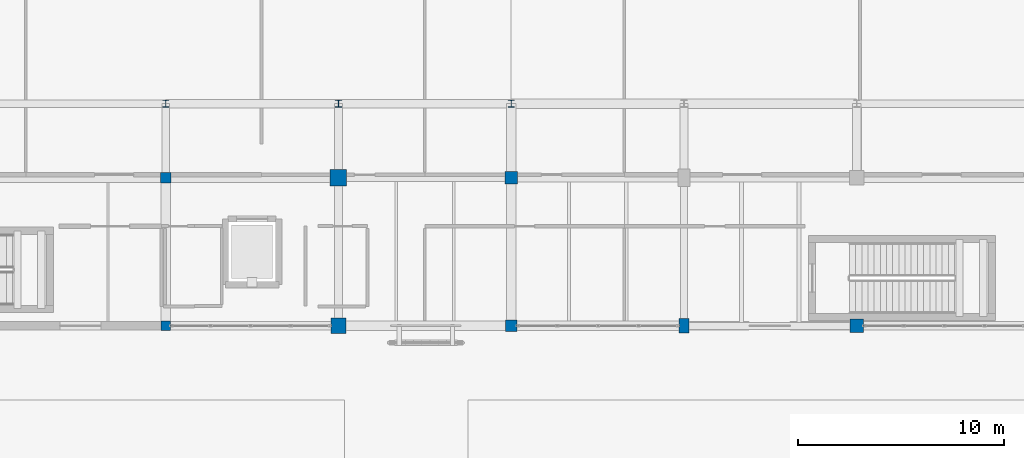
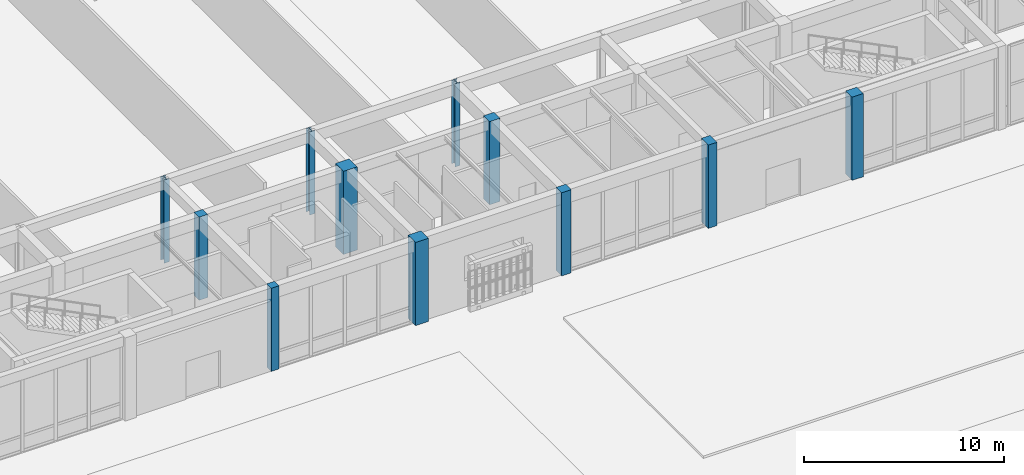
# One storey, part 11 of 169: 11 columns.
"""IFC4 building model written with IfcOpenShell, lengths in metres."""

from ifc_helpers import new_model, si_unit, direction, frame, origin, origin_2d, place, context, subcontext, project, spatial, rectangle, i_section, extrude, material, material_profile, profile_set, type_object, element, save


model = new_model("IFC4")

# Units and contexts
model_context = context("Model", 3, precision=1e-05, world=origin(), true_north=direction((0.0, 1.0)))
body_context = subcontext(model_context, "Body", "Model", "MODEL_VIEW")
ifc_project = project(units=[si_unit("LENGTHUNIT", "METRE"), si_unit("AREAUNIT", "SQUARE_METRE"), si_unit("VOLUMEUNIT", "CUBIC_METRE"), si_unit("PLANEANGLEUNIT", "RADIAN"), si_unit("MASSUNIT", "GRAM", prefix="KILO")], contexts=[model_context])

# Site, building, storey
site_placement = place(None, origin())
site = spatial("IfcSite", under=ifc_project, at=site_placement, CompositionType="ELEMENT")
building_placement = place(site_placement, origin())
building = spatial("IfcBuilding", under=site, at=building_placement, Name="Mazaris Harbour Polytechnic", CompositionType="ELEMENT")
storey_placement = place(building_placement, origin())
storey = spatial("IfcBuildingStorey", under=building, at=storey_placement, Name="L00", CompositionType="ELEMENT", Elevation=0.0)

# Columns
ifc_material_1 = material(Name="Concrete C40/50", Category="concrete")
ifc_material_profile_1 = material_profile(ifc_material_1, rectangle(XDim=0.449951171875, YDim=0.449951171875, at=origin_2d()), Name="RECT450x450")
ifc_profile_set_1 = profile_set([ifc_material_profile_1], Name="Concrete C40/50")
column_type_1 = type_object("IfcColumnType", Name="RC Column 450x450 Exterior", PredefinedType="COLUMN", material=ifc_profile_set_1)
column_1_placement = place(storey_placement, frame((70.800048828125, 75.60009765625, 0.0), z_axis=(0.0, 0.0, 1.0), x_axis=(1.0, 0.0, 0.0)))
element("IfcColumn", 1, at=column_1_placement, inside=storey, type_object=column_type_1, Name="V1 L00 Column 79", PredefinedType="COLUMN", context=body_context, shape_type="SweptSolid", body=[
    extrude(rectangle(XDim=0.449951171875, YDim=0.449951171875, at=origin_2d()), origin(), (0.0, 0.0, 1.0), 5.080078125),
])
ifc_material_2 = material(Name="Concrete C40/50", Category="concrete")
ifc_material_profile_2 = material_profile(ifc_material_2, rectangle(XDim=0.5, YDim=0.5, at=origin_2d()), Name="RECT500x500")
ifc_profile_set_2 = profile_set([ifc_material_profile_2], Name="Concrete C40/50")
column_type_2 = type_object("IfcColumnType", Name="RC Column 500x500", PredefinedType="COLUMN", material=ifc_profile_set_2)
column_2_placement = place(storey_placement, frame((70.800048828125, 82.800048828125, 0.0), z_axis=(0.0, 0.0, 1.0), x_axis=(1.0, 0.0, 0.0)))
element("IfcColumn", 2, at=column_2_placement, inside=storey, type_object=column_type_2, Name="V1 L00 Column 80", PredefinedType="COLUMN", context=body_context, shape_type="SweptSolid", body=[
    extrude(rectangle(XDim=0.5, YDim=0.5, at=origin_2d()), origin(), (0.0, 0.0, 1.0), 5.080078125),
])
ifc_material_3 = material(Name="Concrete C40/50", Category="concrete")
ifc_material_profile_3 = material_profile(ifc_material_3, rectangle(XDim=0.5, YDim=0.699951171875, at=origin_2d()), Name="RECT500x700")
ifc_profile_set_3 = profile_set([ifc_material_profile_3], Name="Concrete C40/50")
column_type_3 = type_object("IfcColumnType", Name="RC Column 500x700 Exterior", PredefinedType="COLUMN", material=ifc_profile_set_3)
column_3_placement = place(storey_placement, frame((96.0, 75.60009765625, 0.0), z_axis=(0.0, 0.0, 1.0), x_axis=(1.0, 0.0, 0.0)))
element("IfcColumn", 3, at=column_3_placement, inside=storey, type_object=column_type_3, Name="V1 L00 Column 97", PredefinedType="COLUMN", context=body_context, shape_type="SweptSolid", body=[
    extrude(rectangle(XDim=0.5, YDim=0.699951171875, at=origin_2d()), origin(), (0.0, 0.0, 1.0), 5.080078125),
])
ifc_material_4 = material(Name="Concrete C40/50", Category="concrete")
ifc_material_profile_4 = material_profile(ifc_material_4, rectangle(XDim=0.550048828125, YDim=0.550048828125, at=origin_2d()), Name="RECT550x550")
ifc_profile_set_4 = profile_set([ifc_material_profile_4], Name="Concrete C40/50")
column_type_4 = type_object("IfcColumnType", Name="RC Column 550x550 Exterior", PredefinedType="COLUMN", material=ifc_profile_set_4)
column_4_placement = place(storey_placement, frame((87.60009765625, 75.60009765625, 0.0), z_axis=(0.0, 0.0, 1.0), x_axis=(1.0, 0.0, 0.0)))
element("IfcColumn", 4, at=column_4_placement, inside=storey, type_object=column_type_4, Name="V1 L00 Column 91", PredefinedType="COLUMN", context=body_context, shape_type="SweptSolid", body=[
    extrude(rectangle(XDim=0.550048828125, YDim=0.550048828125, at=origin_2d()), origin(), (0.0, 0.0, 1.0), 5.080078125),
])
ifc_material_5 = material(Name="Concrete C40/50", Category="concrete")
ifc_material_profile_5 = material_profile(ifc_material_5, rectangle(XDim=0.60009765625, YDim=0.60009765625, at=origin_2d()), Name="RECT600x600")
ifc_profile_set_5 = profile_set([ifc_material_profile_5], Name="Concrete C40/50")
column_type_5 = type_object("IfcColumnType", Name="RC Column 600x600", PredefinedType="COLUMN", material=ifc_profile_set_5)
column_5_placement = place(storey_placement, frame((87.60009765625, 82.800048828125, 0.0), z_axis=(0.0, 0.0, 1.0), x_axis=(1.0, 0.0, 0.0)))
element("IfcColumn", 5, at=column_5_placement, inside=storey, type_object=column_type_5, Name="V1 L00 Column 92", PredefinedType="COLUMN", context=body_context, shape_type="SweptSolid", body=[
    extrude(rectangle(XDim=0.60009765625, YDim=0.60009765625, at=origin_2d()), origin(), (0.0, 0.0, 1.0), 5.080078125),
])
ifc_material_6 = material(Name="Concrete C40/50", Category="concrete")
ifc_material_profile_6 = material_profile(ifc_material_6, rectangle(XDim=0.64990234375, YDim=0.64990234375, at=origin_2d()), Name="RECT650x650")
ifc_profile_set_6 = profile_set([ifc_material_profile_6], Name="Concrete C40/50")
column_type_6 = type_object("IfcColumnType", Name="RC Column 650x650 Exterior", PredefinedType="COLUMN", material=ifc_profile_set_6)
column_6_placement = place(storey_placement, frame((104.39990234375, 75.60009765625, 0.0), z_axis=(0.0, 0.0, 1.0), x_axis=(1.0, 0.0, 0.0)))
element("IfcColumn", 6, at=column_6_placement, inside=storey, type_object=column_type_6, Name="V1 L00 Column 103", PredefinedType="COLUMN", context=body_context, shape_type="SweptSolid", body=[
    extrude(rectangle(XDim=0.64990234375, YDim=0.64990234375, at=origin_2d()), origin(), (0.0, 0.0, 1.0), 5.080078125),
])
ifc_material_7 = material(Name="Concrete C40/50", Category="concrete")
ifc_material_profile_7 = material_profile(ifc_material_7, rectangle(XDim=0.75, YDim=0.75, at=origin_2d()), Name="RECT750x750")
ifc_profile_set_7 = profile_set([ifc_material_profile_7], Name="Concrete C40/50")
column_type_7 = type_object("IfcColumnType", Name="RC Column 750x750 Exterior", PredefinedType="COLUMN", material=ifc_profile_set_7)
column_7_placement = place(storey_placement, frame((79.199951171875, 75.60009765625, 0.0), z_axis=(0.0, 0.0, 1.0), x_axis=(1.0, 0.0, 0.0)))
element("IfcColumn", 7, at=column_7_placement, inside=storey, type_object=column_type_7, Name="V1 L00 Column 85", PredefinedType="COLUMN", context=body_context, shape_type="SweptSolid", body=[
    extrude(rectangle(XDim=0.75, YDim=0.75, at=origin_2d()), origin(), (0.0, 0.0, 1.0), 5.080078125),
])
ifc_material_8 = material(Name="Concrete C40/50", Category="concrete")
ifc_material_profile_8 = material_profile(ifc_material_8, rectangle(XDim=0.800048828125, YDim=0.800048828125, at=origin_2d()), Name="RECT800x800")
ifc_profile_set_8 = profile_set([ifc_material_profile_8], Name="Concrete C40/50")
column_type_8 = type_object("IfcColumnType", Name="RC Column 800x800", PredefinedType="COLUMN", material=ifc_profile_set_8)
column_8_placement = place(storey_placement, frame((79.199951171875, 82.800048828125, 0.0), z_axis=(0.0, 0.0, 1.0), x_axis=(1.0, 0.0, 0.0)))
element("IfcColumn", 8, at=column_8_placement, inside=storey, type_object=column_type_8, Name="V1 L00 Column 86", PredefinedType="COLUMN", context=body_context, shape_type="SweptSolid", body=[
    extrude(rectangle(XDim=0.800048828125, YDim=0.800048828125, at=origin_2d()), origin(), (0.0, 0.0, 1.0), 5.080078125),
])
ifc_material_9 = material(Name="Steel S355", Category="steel")
ifc_material_profile_9 = material_profile(ifc_material_9, i_section(OverallWidth=0.300048828125, OverallDepth=0.360107421875, WebThickness=0.012451171875, FlangeThickness=0.0224609375, FilletRadius=0.027099609375, at=origin_2d()), Name="HEB 360")
ifc_profile_set_9 = profile_set([ifc_material_profile_9], Name="Steel S355")
column_type_9 = type_object("IfcColumnType", Name="Steel Column HEB360", PredefinedType="COLUMN", material=ifc_profile_set_9)
for number, where, z_axis, x_axis, name in (
    (9, (70.800048828125, 86.39990234375, 0.0), (0.0, 0.0, 1.0), (1.0, 0.0, 0.0), "V1 L00 Column 81"),
    (10, (79.199951171875, 86.39990234375, 0.0), (0.0, 0.0, 1.0), (1.0, 0.0, 0.0), "V1 L00 Column 87"),
    (11, (87.60009765625, 86.39990234375, 0.0), (0.0, 0.0, 1.0), (1.0, 0.0, 0.0), "V1 L00 Column 93"),
):
    element("IfcColumn", number, at=place(storey_placement, frame(where, z_axis=z_axis, x_axis=x_axis)), inside=storey, type_object=column_type_9, Name=name, PredefinedType="COLUMN", context=body_context, shape_type="SweptSolid", body=[
        extrude(i_section(OverallWidth=0.300048828125, OverallDepth=0.360107421875, WebThickness=0.012451171875, FlangeThickness=0.0224609375, FilletRadius=0.027099609375, at=origin_2d()), origin(), (0.0, 0.0, 1.0), 5.080078125),
    ])

save(model, "model.ifc")
